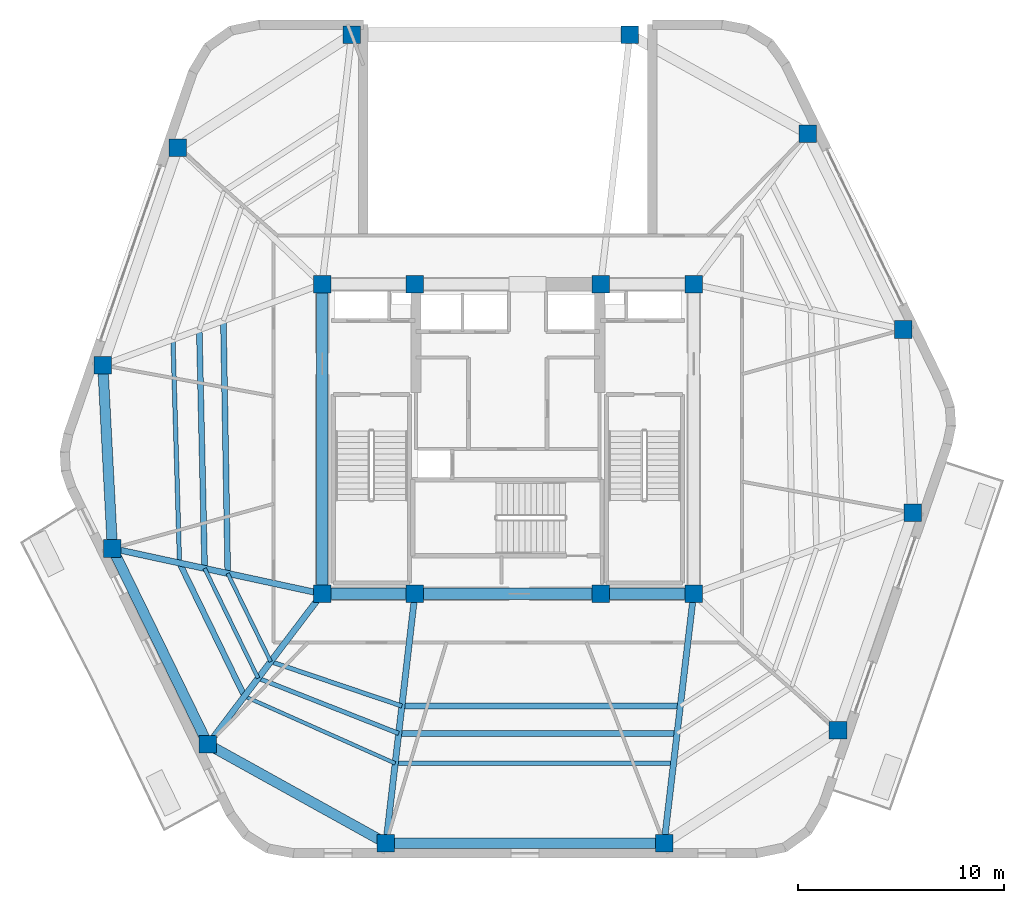
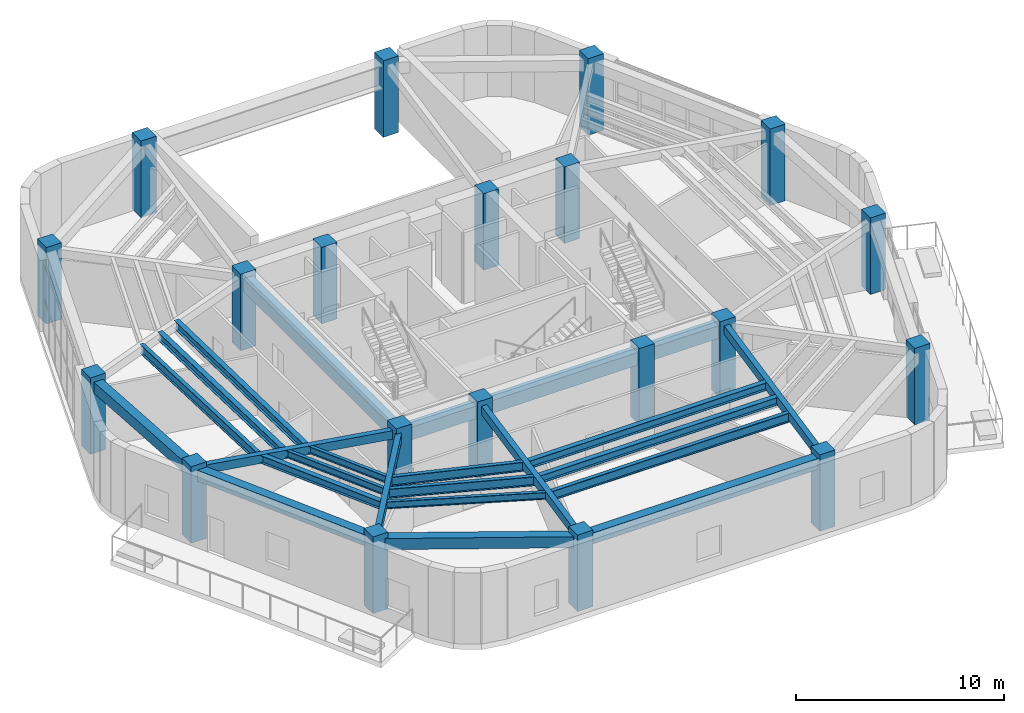
# One storey, part 1 of 15: 24 beams, 20 columns.
"""IFC4 building model written with IfcOpenShell, lengths in metres."""

from ifc_helpers import new_model, si_unit, direction, frame, origin, origin_2d, place, context, subcontext, project, spatial, rectangle, i_section, extrude, material, material_profile, profile_set, type_object, element, save


model = new_model("IFC4")

# Units and contexts
model_context = context("Model", 3, precision=1e-05, world=origin(), true_north=direction((0.0, 1.0)))
body_context = subcontext(model_context, "Body", "Model", "MODEL_VIEW")
ifc_project = project(units=[si_unit("LENGTHUNIT", "METRE"), si_unit("AREAUNIT", "SQUARE_METRE"), si_unit("VOLUMEUNIT", "CUBIC_METRE"), si_unit("PLANEANGLEUNIT", "RADIAN"), si_unit("MASSUNIT", "GRAM", prefix="KILO")], contexts=[model_context])

# Site, building, storey
site_placement = place(None, origin())
site = spatial("IfcSite", under=ifc_project, at=site_placement, CompositionType="ELEMENT")
building_placement = place(site_placement, origin())
building = spatial("IfcBuilding", under=site, at=building_placement, Name="Kilnhurst Terrace Hotel", CompositionType="ELEMENT")
storey_placement = place(building_placement, frame((0.0, 0.0, 293.10009765625)))
storey = spatial("IfcBuildingStorey", under=building, at=storey_placement, Name="L73", CompositionType="ELEMENT", Elevation=293.10009765625)

# Columns
ifc_material_1 = material(Name="Concrete C60/75", Category="concrete")
ifc_material_profile_1 = material_profile(ifc_material_1, rectangle(XDim=0.85009765625, YDim=0.85009765625, at=origin_2d()), Name="RC850X850")
ifc_profile_set_1 = profile_set([ifc_material_profile_1], Name="Concrete C60/75")
column_type = type_object("IfcColumnType", Name="COL-RC-850", PredefinedType="COLUMN", material=ifc_profile_set_1)
for number, where, z_axis, x_axis, name in (
    (1, (-9.0, -7.5, 0.0), (0.0, 0.0, 1.0), (1.0, 0.0, 0.0), "L73 Structural Column CC-SW"),
    (2, (-4.5, -7.5, 0.0), (0.0, 0.0, 1.0), (1.0, 0.0, 0.0), "L73 Structural Column CC-SC1"),
    (3, (4.5, -7.5, 0.0), (0.0, 0.0, 1.0), (1.0, 0.0, 0.0), "L73 Structural Column CC-SC2"),
    (4, (9.0, -7.5, 0.0), (0.0, 0.0, 1.0), (1.0, 0.0, 0.0), "L73 Structural Column CC-SE"),
    (5, (9.0, 7.5, 0.0), (0.0, 0.0, 1.0), (1.0, 0.0, 0.0), "L73 Structural Column CC-NE"),
    (6, (4.5, 7.5, 0.0), (0.0, 0.0, 1.0), (1.0, 0.0, 0.0), "L73 Structural Column CC-NC2"),
    (7, (-4.5, 7.5, 0.0), (0.0, 0.0, 1.0), (1.0, 0.0, 0.0), "L73 Structural Column CC-NC1"),
    (8, (-9.0, 7.5, 0.0), (0.0, 0.0, 1.0), (1.0, 0.0, 0.0), "L73 Structural Column CC-NW"),
    (9, (-5.907958984375, -19.580078125, 0.0), (0.0, 0.0, 1.0), (1.0, 0.0, 0.0), "L73 Structural Column PC-F11"),
    (10, (7.569091796875, -19.580078125, 0.0), (0.0, 0.0, 1.0), (1.0, 0.0, 0.0), "L73 Structural Column PC-F12"),
    (11, (15.9951171875, -14.12109375, 0.0), (0.0, 0.0, 1.0), (1.0, 0.0, 0.0), "L73 Structural Column PC-F21"),
    (12, (19.6240234375, -3.573974609375, 0.0), (0.0, 0.0, 1.0), (1.0, 0.0, 0.0), "L73 Structural Column PC-F22"),
    (13, (19.157958984375, 5.304931640625, 0.0), (0.0, 0.0, 1.0), (1.0, 0.0, 0.0), "L73 Structural Column PC-F31"),
    (14, (14.531005859375, 14.798095703125, 0.0), (0.0, 0.0, 1.0), (1.0, 0.0, 0.0), "L73 Structural Column PC-F32"),
    (15, (5.907958984375, 19.580078125, 0.0), (0.0, 0.0, 1.0), (1.0, 0.0, 0.0), "L73 Structural Column PC-F41"),
    (16, (-7.569091796875, 19.580078125, 0.0), (0.0, 0.0, 1.0), (1.0, 0.0, 0.0), "L73 Structural Column PC-F42"),
    (17, (-15.9951171875, 14.12109375, 0.0), (0.0, 0.0, 1.0), (1.0, 0.0, 0.0), "L73 Structural Column PC-F51"),
    (18, (-19.6240234375, 3.573974609375, 0.0), (0.0, 0.0, 1.0), (1.0, 0.0, 0.0), "L73 Structural Column PC-F52"),
    (19, (-19.157958984375, -5.304931640625, 0.0), (0.0, 0.0, 1.0), (1.0, 0.0, 0.0), "L73 Structural Column PC-F61"),
    (20, (-14.531005859375, -14.798095703125, 0.0), (0.0, 0.0, 1.0), (1.0, 0.0, 0.0), "L73 Structural Column PC-F62"),
):
    element("IfcColumn", number, at=place(storey_placement, frame(where, z_axis=z_axis, x_axis=x_axis)), inside=storey, type_object=column_type, Name=name, PredefinedType="COLUMN", context=body_context, shape_type="SweptSolid", body=[
        extrude(rectangle(XDim=0.85009765625, YDim=0.85009765625, at=origin_2d()), origin(), (0.0, 0.0, 1.0), 4.5),
    ])

# Beams
ifc_material_2 = material(Name="Concrete C50/60", Category="concrete")
ifc_material_profile_2 = material_profile(ifc_material_2, rectangle(XDim=0.300048828125, YDim=0.5, at=origin_2d()), Name="RC300X500")
ifc_profile_set_2 = profile_set([ifc_material_profile_2], Name="Concrete C50/60")
beam_type_1 = type_object("IfcBeamType", Name="BM-RAD-300X500", PredefinedType="BEAM", material=ifc_profile_set_2)
beam_1_placement = place(storey_placement, frame((-4.5, -7.5, 3.929931640625), z_axis=(-0.115768472001, -0.993276225876, 0.0), x_axis=(0.993276225876, -0.115768472001, 0.0)))
element("IfcBeam", 21, at=beam_1_placement, inside=storey, type_object=beam_type_1, Name="L73 Radial Floor Beam 1", PredefinedType="BEAM", context=body_context, shape_type="SweptSolid", body=[
    extrude(rectangle(XDim=0.300048828125, YDim=0.5, at=origin_2d()), origin(), (0.0, 0.0, 1.0), 12.161865234375),
])
beam_2_placement = place(storey_placement, frame((9.0, -7.5, 3.929931640625), z_axis=(-0.117629552811, -0.993057545314, 0.0), x_axis=(0.993057545314, -0.117629552811, 0.0)))
element("IfcBeam", 22, at=beam_2_placement, inside=storey, type_object=beam_type_1, Name="L73 Radial Floor Beam 2", PredefinedType="BEAM", context=body_context, shape_type="SweptSolid", body=[
    extrude(rectangle(XDim=0.300048828125, YDim=0.5, at=origin_2d()), origin(), (0.0, 0.0, 1.0), 12.16455078125),
])
beam_3_placement = place(storey_placement, frame((-9.0, -7.5, 3.929931640625), z_axis=(-0.977438945995, 0.211218149913, 0.0), x_axis=(-0.211218149913, -0.977438945995, 0.0)))
element("IfcBeam", 23, at=beam_3_placement, inside=storey, type_object=beam_type_1, Name="L73 Radial Floor Beam 11", PredefinedType="BEAM", context=body_context, shape_type="SweptSolid", body=[
    extrude(rectangle(XDim=0.300048828125, YDim=0.5, at=origin_2d()), origin(), (0.0, 0.0, 1.0), 10.392333984375),
])
beam_4_placement = place(storey_placement, frame((-9.0, -7.5, 3.929931640625), z_axis=(-0.604006537698, -0.79697936135, 0.0), x_axis=(0.79697936135, -0.604006537698, 0.0)))
element("IfcBeam", 24, at=beam_4_placement, inside=storey, type_object=beam_type_1, Name="L73 Radial Floor Beam 12", PredefinedType="BEAM", context=body_context, shape_type="SweptSolid", body=[
    extrude(rectangle(XDim=0.300048828125, YDim=0.5, at=origin_2d()), origin(), (0.0, 0.0, 1.0), 9.1572265625),
])
ifc_material_profile_3 = material_profile(ifc_material_2, rectangle(XDim=0.5, YDim=0.64990234375, at=origin_2d()), Name="RC500X650")
ifc_profile_set_3 = profile_set([ifc_material_profile_3], Name="Concrete C50/60")
beam_type_2 = type_object("IfcBeamType", Name="BM-SPN-500X650", PredefinedType="SPANDREL", material=ifc_profile_set_3)
beam_5_placement = place(storey_placement, frame((-5.907958984375, -19.580078125, 3.85498046875), z_axis=(1.0, 0.0, 0.0), x_axis=(0.0, 1.0, 0.0)))
element("IfcBeam", 25, at=beam_5_placement, inside=storey, type_object=beam_type_2, Name="L73 Perimeter Spandrel Beam 1", PredefinedType="SPANDREL", context=body_context, shape_type="SweptSolid", body=[
    extrude(rectangle(XDim=0.5, YDim=0.64990234375, at=origin_2d()), origin(), (0.0, 0.0, 1.0), 13.47705078125),
])
beam_6_placement = place(storey_placement, frame((-19.6240234375, 3.573974609375, 3.85498046875), z_axis=(0.052419034962, -0.998625177318, 0.0), x_axis=(0.998625177318, 0.052419034962, 0.0)))
element("IfcBeam", 26, at=beam_6_placement, inside=storey, type_object=beam_type_2, Name="L73 Perimeter Spandrel Beam 10", PredefinedType="SPANDREL", context=body_context, shape_type="SweptSolid", body=[
    extrude(rectangle(XDim=0.5, YDim=0.64990234375, at=origin_2d()), origin(), (0.0, 0.0, 1.0), 8.89111328125),
])
beam_7_placement = place(storey_placement, frame((-19.157958984375, -5.304931640625, 3.85498046875), z_axis=(0.438128464895, -0.898912369616, 0.0), x_axis=(0.898912369616, 0.438128464895, 0.0)))
element("IfcBeam", 27, at=beam_7_placement, inside=storey, type_object=beam_type_2, Name="L73 Perimeter Spandrel Beam 11", PredefinedType="SPANDREL", context=body_context, shape_type="SweptSolid", body=[
    extrude(rectangle(XDim=0.5, YDim=0.64990234375, at=origin_2d()), origin(), (0.0, 0.0, 1.0), 10.560791015625),
])
beam_8_placement = place(storey_placement, frame((-14.531005859375, -14.798095703125, 3.85498046875), z_axis=(0.874527255888, -0.484976369227, 0.0), x_axis=(0.484976369227, 0.874527255888, 0.0)))
element("IfcBeam", 28, at=beam_8_placement, inside=storey, type_object=beam_type_2, Name="L73 Perimeter Spandrel Beam 12", PredefinedType="SPANDREL", context=body_context, shape_type="SweptSolid", body=[
    extrude(rectangle(XDim=0.5, YDim=0.64990234375, at=origin_2d()), origin(), (0.0, 0.0, 1.0), 9.8603515625),
])
ifc_material_profile_4 = material_profile(ifc_material_2, rectangle(XDim=0.550048828125, YDim=0.75, at=origin_2d()), Name="RC550X750")
ifc_profile_set_4 = profile_set([ifc_material_profile_4], Name="Concrete C50/60")
beam_type_3 = type_object("IfcBeamType", Name="BM-SPN-550X750", PredefinedType="SPANDREL", material=ifc_profile_set_4)
beam_9_placement = place(storey_placement, frame((-9.0, -7.5, 3.804931640625), z_axis=(1.0, 0.0, 0.0), x_axis=(0.0, 1.0, 0.0)))
element("IfcBeam", 29, at=beam_9_placement, inside=storey, type_object=beam_type_3, Name="L73 Core Tie Beam CC-SW to CC-SC1", PredefinedType="SPANDREL", context=body_context, shape_type="SweptSolid", body=[
    extrude(rectangle(XDim=0.550048828125, YDim=0.75, at=origin_2d()), origin(), (0.0, 0.0, 1.0), 4.5),
])
beam_10_placement = place(storey_placement, frame((-4.5, -7.5, 3.804931640625), z_axis=(1.0, 0.0, 0.0), x_axis=(0.0, 1.0, 0.0)))
element("IfcBeam", 30, at=beam_10_placement, inside=storey, type_object=beam_type_3, Name="L73 Core Tie Beam CC-SC1 to CC-SC2", PredefinedType="SPANDREL", context=body_context, shape_type="SweptSolid", body=[
    extrude(rectangle(XDim=0.550048828125, YDim=0.75, at=origin_2d()), origin(), (0.0, 0.0, 1.0), 9.0),
])
beam_11_placement = place(storey_placement, frame((4.5, -7.5, 3.804931640625), z_axis=(1.0, 0.0, 0.0), x_axis=(0.0, 1.0, 0.0)))
element("IfcBeam", 31, at=beam_11_placement, inside=storey, type_object=beam_type_3, Name="L73 Core Tie Beam CC-SC2 to CC-SE", PredefinedType="SPANDREL", context=body_context, shape_type="SweptSolid", body=[
    extrude(rectangle(XDim=0.550048828125, YDim=0.75, at=origin_2d()), origin(), (0.0, 0.0, 1.0), 4.5),
])
beam_12_placement = place(storey_placement, frame((-9.0, -7.5, 3.804931640625), z_axis=(0.0, 1.0, 0.0), x_axis=(-1.0, 0.0, 0.0)))
element("IfcBeam", 32, at=beam_12_placement, inside=storey, type_object=beam_type_3, Name="L73 Core Tie Beam CC-SW to CC-NW", PredefinedType="SPANDREL", context=body_context, shape_type="SweptSolid", body=[
    extrude(rectangle(XDim=0.550048828125, YDim=0.75, at=origin_2d()), origin(), (0.0, 0.0, 1.0), 15.0),
])
ifc_material_3 = material(Name="Steel ASTM A992 Grade 50", Category="steel")
ifc_material_profile_5 = material_profile(ifc_material_3, i_section(OverallWidth=0.180908203125, OverallDepth=0.417236328125, WebThickness=0.010986328125, FlangeThickness=0.018310546875, at=origin_2d()), Name="W16X57")
ifc_profile_set_5 = profile_set([ifc_material_profile_5], Name="Steel ASTM A992 Grade 50")
beam_type_4 = type_object("IfcBeamType", Name="JST-STL-W16X57", PredefinedType="JOIST", material=ifc_profile_set_5)
beam_13_placement = place(storey_placement, frame((-12.760986328125, -12.462646484375, 3.970947265625), z_axis=(0.913545640569, -0.406736232216, 0.0), x_axis=(0.406736232216, 0.913545640569, 0.0)))
element("IfcBeam", 33, at=beam_13_placement, inside=storey, type_object=beam_type_4, Name="L73 Secondary Floor Steel Joist OUT.12", PredefinedType="JOIST", context=body_context, shape_type="SweptSolid", body=[
    extrude(i_section(OverallWidth=0.180908203125, OverallDepth=0.417236328125, WebThickness=0.010986328125, FlangeThickness=0.018310546875, at=origin_2d()), origin(), (0.0, 0.0, 1.0), 7.99462890625),
])
beam_14_placement = place(storey_placement, frame((-13.571044921875, -6.51220703125, 3.970947265625), z_axis=(0.438107813647, -0.898922434708, 0.0), x_axis=(0.898922434708, 0.438107813647, 0.0)))
element("IfcBeam", 34, at=beam_14_placement, inside=storey, type_object=beam_type_4, Name="L73 Secondary Floor Steel Joist IN.11", PredefinedType="JOIST", context=body_context, shape_type="SweptSolid", body=[
    extrude(i_section(OverallWidth=0.180908203125, OverallDepth=0.417236328125, WebThickness=0.010986328125, FlangeThickness=0.018310546875, at=origin_2d()), origin(), (0.0, 0.0, 1.0), 4.75244140625),
])
beam_15_placement = place(storey_placement, frame((-14.6884765625, -6.270751953125, 3.970947265625), z_axis=(0.438125112318, -0.898914003649, 0.0), x_axis=(0.898914003649, 0.438125112318, 0.0)))
element("IfcBeam", 35, at=beam_15_placement, inside=storey, type_object=beam_type_4, Name="L73 Secondary Floor Steel Joist MID.11", PredefinedType="JOIST", context=body_context, shape_type="SweptSolid", body=[
    extrude(i_section(OverallWidth=0.180908203125, OverallDepth=0.417236328125, WebThickness=0.010986328125, FlangeThickness=0.018310546875, at=origin_2d()), origin(), (0.0, 0.0, 1.0), 5.9140625),
])
ifc_material_profile_6 = material_profile(ifc_material_3, i_section(OverallWidth=0.279296875, OverallDepth=0.462890625, WebThickness=0.0107421875, FlangeThickness=0.017333984375, at=origin_2d()), Name="W18X76")
ifc_profile_set_6 = profile_set([ifc_material_profile_6], Name="Steel ASTM A992 Grade 50")
beam_type_5 = type_object("IfcBeamType", Name="JST-STL-W18X76", PredefinedType="JOIST", material=ifc_profile_set_6)
beam_16_placement = place(storey_placement, frame((-15.907470703125, -6.00732421875, 3.947998046875), z_axis=(0.438147652742, -0.898903017237, 0.0), x_axis=(0.898903017237, 0.438147652742, 0.0)))
element("IfcBeam", 36, at=beam_16_placement, inside=storey, type_object=beam_type_5, Name="L73 Secondary Floor Steel Joist OUT.11", PredefinedType="JOIST", context=body_context, shape_type="SweptSolid", body=[
    extrude(i_section(OverallWidth=0.279296875, OverallDepth=0.462890625, WebThickness=0.0107421875, FlangeThickness=0.017333984375, at=origin_2d()), origin(), (0.0, 0.0, 1.0), 7.181396484375),
])
beam_17_placement = place(storey_placement, frame((-5.133544921875, -12.93603515625, 3.947998046875), z_axis=(1.0, 0.0, 0.0), x_axis=(0.0, 1.0, 0.0)))
element("IfcBeam", 37, at=beam_17_placement, inside=storey, type_object=beam_type_5, Name="L73 Secondary Floor Steel Joist IN.1", PredefinedType="JOIST", context=body_context, shape_type="SweptSolid", body=[
    extrude(i_section(OverallWidth=0.279296875, OverallDepth=0.462890625, WebThickness=0.0107421875, FlangeThickness=0.017333984375, at=origin_2d()), origin(), (0.0, 0.0, 1.0), 13.489501953125),
])
beam_18_placement = place(storey_placement, frame((-13.78076171875, 5.7333984375, 3.947998046875), z_axis=(0.01712337129, -0.99985338433, 0.0), x_axis=(0.99985338433, 0.01712337129, 0.0)))
element("IfcBeam", 38, at=beam_18_placement, inside=storey, type_object=beam_type_5, Name="L73 Secondary Floor Steel Joist IN.10", PredefinedType="JOIST", context=body_context, shape_type="SweptSolid", body=[
    extrude(i_section(OverallWidth=0.279296875, OverallDepth=0.462890625, WebThickness=0.0107421875, FlangeThickness=0.017333984375, at=origin_2d()), origin(), (0.0, 0.0, 1.0), 12.247314453125),
])
beam_19_placement = place(storey_placement, frame((-5.28857421875, -14.264892578125, 3.947998046875), z_axis=(1.0, 0.0, 0.0), x_axis=(0.0, 1.0, 0.0)))
element("IfcBeam", 39, at=beam_19_placement, inside=storey, type_object=beam_type_5, Name="L73 Secondary Floor Steel Joist MID.1", PredefinedType="JOIST", context=body_context, shape_type="SweptSolid", body=[
    extrude(i_section(OverallWidth=0.279296875, OverallDepth=0.462890625, WebThickness=0.0107421875, FlangeThickness=0.017333984375, at=origin_2d()), origin(), (0.0, 0.0, 1.0), 13.487060546875),
])
beam_20_placement = place(storey_placement, frame((-14.949462890625, 5.301513671875, 3.947998046875), z_axis=(0.022547009345, -0.999745783872, 0.0), x_axis=(0.999745783872, 0.022547009345, 0.0)))
element("IfcBeam", 40, at=beam_20_placement, inside=storey, type_object=beam_type_5, Name="L73 Secondary Floor Steel Joist MID.10", PredefinedType="JOIST", context=body_context, shape_type="SweptSolid", body=[
    extrude(i_section(OverallWidth=0.279296875, OverallDepth=0.462890625, WebThickness=0.0107421875, FlangeThickness=0.017333984375, at=origin_2d()), origin(), (0.0, 0.0, 1.0), 11.5751953125),
])
ifc_material_profile_7 = material_profile(ifc_material_3, i_section(OverallWidth=0.2138671875, OverallDepth=0.549072265625, WebThickness=0.0146484375, FlangeThickness=0.023681640625, at=origin_2d()), Name="W21X93")
ifc_profile_set_7 = profile_set([ifc_material_profile_7], Name="Steel ASTM A992 Grade 50")
beam_type_6 = type_object("IfcBeamType", Name="JST-STL-W21X93", PredefinedType="JOIST", material=ifc_profile_set_7)
beam_21_placement = place(storey_placement, frame((-5.45751953125, -15.71435546875, 3.90478515625), z_axis=(1.0, 0.0, 0.0), x_axis=(0.0, 1.0, 0.0)))
element("IfcBeam", 41, at=beam_21_placement, inside=storey, type_object=beam_type_6, Name="L73 Secondary Floor Steel Joist OUT.1", PredefinedType="JOIST", context=body_context, shape_type="SweptSolid", body=[
    extrude(i_section(OverallWidth=0.2138671875, OverallDepth=0.549072265625, WebThickness=0.0146484375, FlangeThickness=0.023681640625, at=origin_2d()), origin(), (0.0, 0.0, 1.0), 13.484375),
])
beam_22_placement = place(storey_placement, frame((-16.224365234375, 4.830322265625, 3.90478515625), z_axis=(0.029227669324, -0.999572780415, 0.0), x_axis=(0.999572780415, 0.029227669324, 0.0)))
element("IfcBeam", 42, at=beam_22_placement, inside=storey, type_object=beam_type_6, Name="L73 Secondary Floor Steel Joist OUT.10", PredefinedType="JOIST", context=body_context, shape_type="SweptSolid", body=[
    extrude(i_section(OverallWidth=0.2138671875, OverallDepth=0.549072265625, WebThickness=0.0146484375, FlangeThickness=0.023681640625, at=origin_2d()), origin(), (0.0, 0.0, 1.0), 10.84228515625),
])
beam_23_placement = place(storey_placement, frame((-11.489013671875, -10.7841796875, 3.90478515625), z_axis=(0.947180946302, -0.320699633555, 0.0), x_axis=(0.320699633555, 0.947180946302, 0.0)))
element("IfcBeam", 43, at=beam_23_placement, inside=storey, type_object=beam_type_6, Name="L73 Secondary Floor Steel Joist IN.12", PredefinedType="JOIST", context=body_context, shape_type="SweptSolid", body=[
    extrude(i_section(OverallWidth=0.2138671875, OverallDepth=0.549072265625, WebThickness=0.0146484375, FlangeThickness=0.023681640625, at=origin_2d()), origin(), (0.0, 0.0, 1.0), 6.7099609375),
])
beam_24_placement = place(storey_placement, frame((-12.097412109375, -11.5869140625, 3.90478515625), z_axis=(0.930608251849, -0.366016777745, 0.0), x_axis=(0.366016777745, 0.930608251849, 0.0)))
element("IfcBeam", 44, at=beam_24_placement, inside=storey, type_object=beam_type_6, Name="L73 Secondary Floor Steel Joist MID.12", PredefinedType="JOIST", context=body_context, shape_type="SweptSolid", body=[
    extrude(i_section(OverallWidth=0.2138671875, OverallDepth=0.549072265625, WebThickness=0.0146484375, FlangeThickness=0.023681640625, at=origin_2d()), origin(), (0.0, 0.0, 1.0), 7.316650390625),
])

save(model, "model.ifc")
